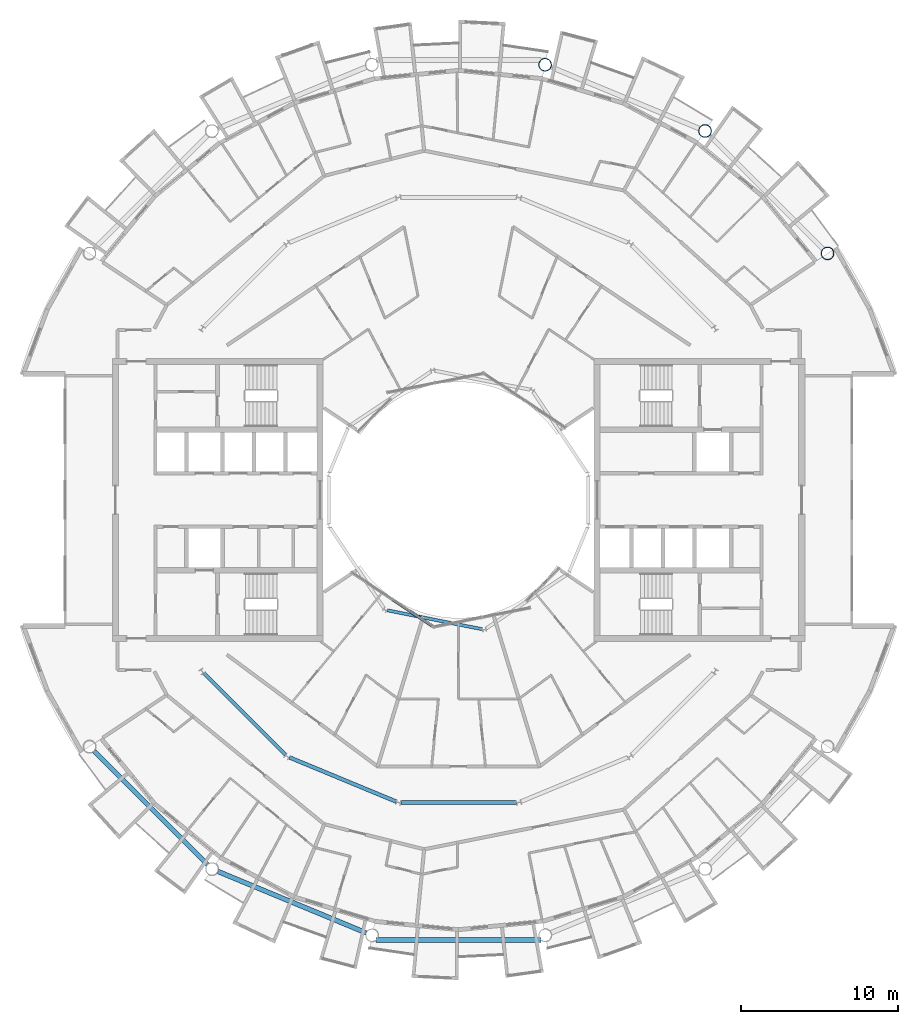
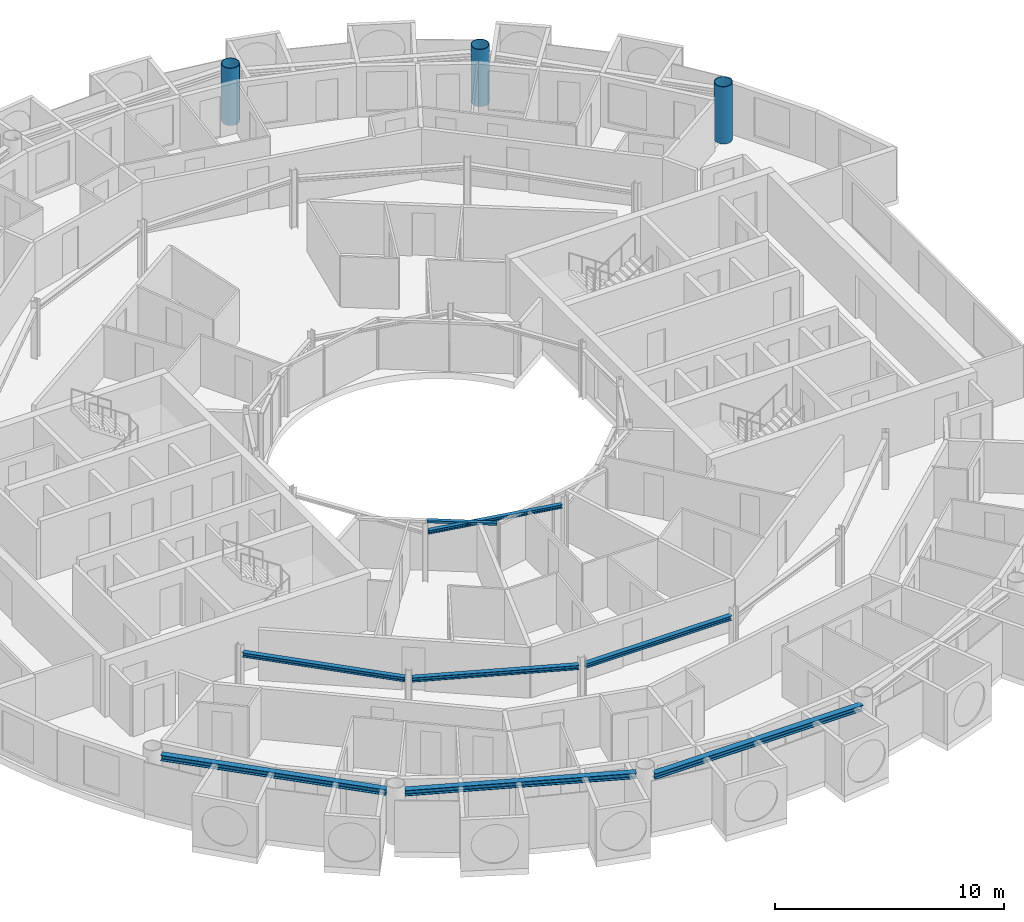
# One storey, part 6 of 28: 7 beams, 3 columns, 1 member, 1 element without a shape of its own.
"""IFC4 building model written with IfcOpenShell, lengths in metres."""

import ifcopenshell
import ifcopenshell.guid

model = None  # the IFC model being written
_history = None  # IfcOwnerHistory: only IFC2X3 demands one
_inside = {}  # id of a spatial element -> (the spatial element, [elements in it])
_under = {}  # id of a project, library or spatial element -> (it, [spatial elements below it])
_declared = {}  # id of a project -> (the project, [libraries it declares])
_typed = {}  # id of a type object -> (the type object, [elements of that type])
_made_of = {}  # id of a material, layer set ... -> (it, [elements and type objects made of it])


def new_model(schema):
    """Start an empty IFC model of exactly this schema.

    Asked for "IFC4X3", IfcOpenShell would pick the latest addendum, in which some entities
    have other attributes; the version numbers below select the first issue.
    IFC2X3 requires an IfcOwnerHistory on every rooted entity: one is made here for all.
    """
    global model, _history
    if schema == "IFC4X3":
        model = ifcopenshell.file(schema_version=(4, 3, 0, 0))
    else:
        model = ifcopenshell.file(schema=schema)
    _inside.clear()
    _under.clear()
    _declared.clear()
    _typed.clear()
    _made_of.clear()
    _history = None
    if model.schema == "IFC2X3":
        org = make("IfcOrganization", Name="unknown")
        user = make(
            "IfcPersonAndOrganization",
            ThePerson=make("IfcPerson", FamilyName="unknown"),
            TheOrganization=org,
        )
        app = make(
            "IfcApplication",
            ApplicationDeveloper=org,
            Version="unknown",
            ApplicationFullName="unknown",
            ApplicationIdentifier="unknown",
        )
        _history = make(
            "IfcOwnerHistory",
            OwningUser=user,
            OwningApplication=app,
            ChangeAction="ADDED",
            CreationDate=0,
        )
    return model


def make(cls, **values):
    """One entity of the class cls with the attributes given. An attribute that is None is left unset."""
    return model.create_entity(
        cls, **{name: value for name, value in values.items() if value is not None}
    )


def rooted(cls, **values):
    """An entity with a GlobalId (a new one), such as an element, a storey or a relation."""
    return make(cls, GlobalId=ifcopenshell.guid.new(), OwnerHistory=_history, **values)


def si_unit(unit_type, name, prefix=None):
    """IfcSIUnit, for example si_unit("LENGTHUNIT", "METRE", prefix="MILLI")."""
    return make("IfcSIUnit", UnitType=unit_type, Prefix=prefix, Name=name)


def assignment(units):
    """IfcUnitAssignment: the units of a project."""
    return None if units is None else make("IfcUnitAssignment", Units=units)


def point(xyz):
    """IfcCartesianPoint."""
    return None if xyz is None else make("IfcCartesianPoint", Coordinates=xyz)


def direction(xyz):
    """IfcDirection."""
    return None if xyz is None else make("IfcDirection", DirectionRatios=xyz)


def frame(location, z_axis=None, x_axis=None):
    """IfcAxis2Placement3D, a coordinate frame: its origin and axes. An axis left out is left unset."""
    return make(
        "IfcAxis2Placement3D",
        Location=point(location),
        Axis=direction(z_axis),
        RefDirection=direction(x_axis),
    )


def frame_2d(location, x_axis=None):
    """IfcAxis2Placement2D, a coordinate frame in the plane: its origin and x axis."""
    return make(
        "IfcAxis2Placement2D", Location=point(location), RefDirection=direction(x_axis)
    )


def origin():
    """The frame at (0, 0, 0) with its axes left unset."""
    return frame((0.0, 0.0, 0.0))


def origin_2d():
    """The frame at (0, 0) in the plane with its x axis left unset."""
    return frame_2d((0.0, 0.0))


def place(relative_to, where):
    """IfcLocalPlacement: puts the frame where relative to a parent placement (None: the world)."""
    return make(
        "IfcLocalPlacement", PlacementRelTo=relative_to, RelativePlacement=where
    )


def context(
    kind, dimensions, precision=None, world=None, true_north=None, identifier=None
):
    """IfcGeometricRepresentationContext, for example the 3D "Model" context."""
    return make(
        "IfcGeometricRepresentationContext",
        ContextIdentifier=identifier,
        ContextType=kind,
        CoordinateSpaceDimension=dimensions,
        Precision=precision,
        WorldCoordinateSystem=world,
        TrueNorth=true_north,
    )


def subcontext(parent, identifier, kind, view, scale=None):
    """IfcGeometricRepresentationSubContext, for example "Body" below "Model"."""
    return make(
        "IfcGeometricRepresentationSubContext",
        ContextIdentifier=identifier,
        ContextType=kind,
        ParentContext=parent,
        TargetScale=scale,
        TargetView=view,
    )


def project(units=None, contexts=None):
    """IfcProject with its units and contexts."""
    return rooted(
        "IfcProject",
        Name="project",
        RepresentationContexts=contexts,
        UnitsInContext=assignment(units),
    )


def spatial(cls, under=None, at=None, **own):
    """A site, building, storey or space (cls), placed at a placement, below another one or the project."""
    s = rooted(cls, ObjectPlacement=at, **own)
    if under is not None:
        _under.setdefault(under.id(), (under, []))[1].append(s)
    return s


def profile(cls, at=None, kind="AREA", **sizes):
    """A parametric profile (cls). Its sizes go by their IFC names, for example OverallWidth=200.0."""
    return make(cls, ProfileType=kind, Position=at, **sizes)


def rectangle(**sizes):
    """IfcRectangleProfileDef."""
    return profile("IfcRectangleProfileDef", **sizes)


def hollow_circle(**sizes):
    """IfcCircleHollowProfileDef."""
    return profile("IfcCircleHollowProfileDef", **sizes)


def i_section(**sizes):
    """IfcIShapeProfileDef."""
    return profile("IfcIShapeProfileDef", **sizes)


def extrude(swept, where, along, depth):
    """IfcExtrudedAreaSolid: the profile swept, set in the frame where, extruded along a direction by depth."""
    return make(
        "IfcExtrudedAreaSolid",
        SweptArea=swept,
        Position=where,
        ExtrudedDirection=direction(along),
        Depth=depth,
    )


def shape(context_of_items, identifier, shape_type, items):
    """IfcShapeRepresentation: the items that make up one representation, for example the "Body"."""
    return make(
        "IfcShapeRepresentation",
        ContextOfItems=context_of_items,
        RepresentationIdentifier=identifier,
        RepresentationType=shape_type,
        Items=items,
    )


def material(Name=None, Category=None):
    """IfcMaterial."""
    return make("IfcMaterial", Name=Name, Category=Category)


def layer(
    of_material, thickness, ventilated=None, Name=None, Category=None, Priority=None
):
    """IfcMaterialLayer: one layer of a wall or slab, of a material (None: an air gap)."""
    return make(
        "IfcMaterialLayer",
        Material=of_material,
        LayerThickness=thickness,
        IsVentilated=ventilated,
        Name=Name,
        Category=Category,
        Priority=Priority,
    )


def layer_set(layers, Name=None):
    """IfcMaterialLayerSet."""
    return make("IfcMaterialLayerSet", MaterialLayers=layers, LayerSetName=Name)


def material_profile(
    of_material, cross_section, Name=None, Category=None, Priority=None
):
    """IfcMaterialProfile: a cross section and its material."""
    return make(
        "IfcMaterialProfile",
        Name=Name,
        Material=of_material,
        Profile=cross_section,
        Priority=Priority,
        Category=Category,
    )


def profile_set(profiles, Name=None, composite=None):
    """IfcMaterialProfileSet."""
    return make(
        "IfcMaterialProfileSet",
        Name=Name,
        MaterialProfiles=profiles,
        CompositeProfile=composite,
    )


def made_of(thing, what):
    """Note that an element or type object is made of a material, layer set ...; save() writes the relation."""
    if what is not None:
        _made_of.setdefault(what.id(), (what, []))[1].append(thing)
    return thing


def type_object(cls, material=None, **own):
    """A type object (cls), such as IfcWallType, which elements share."""
    return made_of(rooted(cls, **own), material)


def element(
    cls,
    number,
    at=None,
    inside=None,
    cuts=None,
    type_object=None,
    material=None,
    context=None,
    identifier="Body",
    shape_type=None,
    held_by="IfcProductDefinitionShape",
    body=None,
    shapes=None,
    **own,
):
    """One element of the class cls, such as IfcWall. Its Tag is "e" and its number.

    at: its placement. inside: the storey or other place that contains it. cuts: it is an
    opening in that element (IfcRelVoidsElement). A single representation is given by context,
    identifier, shape_type and body (its items); several are given by shapes. held_by: the class
    of the entity that holds the representations. save() writes the other relations.
    """
    e = rooted(cls, Tag="e%d" % number, ObjectPlacement=at, **own)
    if body is not None:
        shapes = [shape(context, identifier, shape_type, body)]
    if shapes is not None:
        e.Representation = make(held_by, Representations=shapes)
    if inside is not None:
        _inside.setdefault(inside.id(), (inside, []))[1].append(e)
    if cuts is not None:
        rooted(
            "IfcRelVoidsElement", RelatingBuildingElement=cuts, RelatedOpeningElement=e
        )
    if type_object is not None:
        _typed.setdefault(type_object.id(), (type_object, []))[1].append(e)
    return made_of(e, material)


def aggregate(whole, parts):
    """IfcRelAggregates: a whole, such as a stair, and the parts it consists of."""
    return rooted("IfcRelAggregates", RelatingObject=whole, RelatedObjects=parts)


def save(model, path):
    """Write the relations noted so far, then the file.

    IfcRelAggregates (storeys below a building ...), IfcRelContainedInSpatialStructure (elements
    in a storey), IfcRelDefinesByType, IfcRelAssociatesMaterial and IfcRelDeclares: one each for
    every whole, place, type object, material and project.
    """
    for whole, parts in _under.values():
        aggregate(whole, parts)
    for where, things in _inside.values():
        rooted(
            "IfcRelContainedInSpatialStructure",
            RelatedElements=things,
            RelatingStructure=where,
        )
    for kind, things in _typed.values():
        rooted("IfcRelDefinesByType", RelatedObjects=things, RelatingType=kind)
    for what, things in _made_of.values():
        rooted("IfcRelAssociatesMaterial", RelatedObjects=things, RelatingMaterial=what)
    for by, libraries in _declared.values():
        rooted("IfcRelDeclares", RelatingContext=by, RelatedDefinitions=libraries)
    model.write(path)


model = new_model("IFC4")

# Units and contexts
model_context = context("Model", 3, precision=1e-05, world=origin(), true_north=direction((0.0, 1.0)))
body_context = subcontext(model_context, "Body", "Model", "MODEL_VIEW")
ifc_project = project(units=[si_unit("LENGTHUNIT", "METRE"), si_unit("AREAUNIT", "SQUARE_METRE"), si_unit("VOLUMEUNIT", "CUBIC_METRE"), si_unit("PLANEANGLEUNIT", "RADIAN"), si_unit("MASSUNIT", "GRAM", prefix="KILO")], contexts=[model_context])

# Site, building, storey
site_placement = place(None, origin())
site = spatial("IfcSite", under=ifc_project, at=site_placement, CompositionType="ELEMENT")
building_placement = place(site_placement, origin())
building = spatial("IfcBuilding", under=site, at=building_placement, Name="Maasbend Ring Residences", CompositionType="ELEMENT")
storey_placement = place(building_placement, frame((0.0, 0.0, 227.949951171875)))
storey = spatial("IfcBuildingStorey", under=building, at=storey_placement, Name="L65", CompositionType="ELEMENT", Elevation=227.949951171875)

# Columns
ifc_material_1 = material(Name="Composite concrete-filled steel tube S460NH / C80/95", Category="concrete")
ifc_material_profile_1 = material_profile(ifc_material_1, hollow_circle(Radius=0.406494140625, WallThickness=0.030029296875, at=origin_2d()), Name="Composite tube column CHS 813x30")
ifc_profile_set_1 = profile_set([ifc_material_profile_1], Name="Composite concrete-filled steel tube S460NH / C80/95")
column_type = type_object("IfcColumnType", Name="Composite tube column CHS 813x30", PredefinedType="COLUMN", material=ifc_profile_set_1)
for number, where, z_axis, x_axis, name in (
    (1, (23.447509765625, 15.6669921875, 0.0), (0.0, 0.0, 1.0), (1.0, 0.0, 0.0), "Outer column R2"),
    (2, (15.6669921875, 23.447509765625, 0.0), (0.0, 0.0, 1.0), (1.0, 0.0, 0.0), "Outer column R3"),
    (3, (5.50146484375, 27.658203125, 0.0), (0.0, 0.0, 1.0), (1.0, 0.0, 0.0), "Outer column R4"),
):
    element("IfcColumn", number, at=place(storey_placement, frame(where, z_axis=z_axis, x_axis=x_axis)), inside=storey, type_object=column_type, Name=name, PredefinedType="COLUMN", context=body_context, shape_type="SweptSolid", body=[
        extrude(hollow_circle(Radius=0.406494140625, WallThickness=0.030029296875, at=origin_2d()), origin(), (0.0, 0.0, 1.0), 3.050048828125),
    ])

# Curtain wall, member
ifc_material_2 = material(Name="Aluminium and clear glass", Category="aluminium")
ifc_layer = layer(ifc_material_2, 0.179931640625)
ifc_layer_set = layer_set([ifc_layer], Name="CW-W")
curtain_wall_type = type_object("IfcCurtainWallType", Name="CW-W", PredefinedType="NOTDEFINED", material=ifc_layer_set)
curtain_wall_placement = place(storey_placement, origin())
curtain_wall = element("IfcCurtainWall", 4, at=curtain_wall_placement, inside=storey, type_object=curtain_wall_type, Name="Well curtain wall S1", PredefinedType="NOTDEFINED")
ifc_material_3 = material(Name="Aluminium 6063-T6", Category="aluminium")
ifc_material_profile_2 = material_profile(ifc_material_3, rectangle(XDim=0.179931640625, YDim=0.1201171875, at=origin_2d()), Name="AL 180x120")
ifc_profile_set_2 = profile_set([ifc_material_profile_2], Name="Aluminium 6063-T6")
member_type = type_object("IfcMemberType", Name="CWT-W", PredefinedType="USERDEFINED", material=ifc_profile_set_2)
member_placement = place(storey_placement, frame((-4.19189453125, -6.32763671875, 2.64013671875), z_axis=(0.831496422459, -0.555530106689, 0.0), x_axis=(0.555530106689, 0.831496422459, 0.0)))
member = element("IfcMember", 5, at=member_placement, type_object=member_type, Name="Transom well face", ObjectType="TRANSOM", PredefinedType="USERDEFINED", context=body_context, shape_type="SweptSolid", body=[
    extrude(rectangle(XDim=0.179931640625, YDim=0.1201171875, at=origin_2d()), origin(), (0.0, 0.0, 1.0), 3.053955078125),
])
aggregate(curtain_wall, [member])

# Beams
ifc_material_4 = material(Name="Steel S355J2", Category="steel")
ifc_material_profile_3 = material_profile(ifc_material_4, i_section(OverallWidth=0.239990234375, OverallDepth=0.22998046875, WebThickness=0.007568359375, FlangeThickness=0.011962890625, FilletRadius=0.02099609375, at=origin_2d()), Name="HEA 240")
ifc_profile_set_3 = profile_set([ifc_material_profile_3], Name="Steel S355J2")
beam_type_1 = type_object("IfcBeamType", Name="Corridor ring beam HEA 240", PredefinedType="BEAM", material=ifc_profile_set_3)
beam_1_placement = place(storey_placement, frame((-16.188720703125, -10.997314453125, 2.5849609375), z_axis=(0.707106781187, -0.707106781187, 0.0), x_axis=(0.707106781187, 0.707106781187, 0.0)))
element("IfcBeam", 6, at=beam_1_placement, inside=storey, type_object=beam_type_1, Name="Corridor ring beam", PredefinedType="BEAM", context=body_context, shape_type="SweptSolid", body=[
    extrude(i_section(OverallWidth=0.239990234375, OverallDepth=0.22998046875, WebThickness=0.007568359375, FlangeThickness=0.011962890625, FilletRadius=0.02099609375, at=origin_2d()), origin(), (0.0, 0.0, 1.0), 7.341796875),
])
beam_2_placement = place(storey_placement, frame((-10.747802734375, -16.355224609375, 2.5849609375), z_axis=(0.923875784142, -0.382692481603, 0.0), x_axis=(0.382692481603, 0.923875784142, 0.0)))
element("IfcBeam", 7, at=beam_2_placement, inside=storey, type_object=beam_type_1, Name="Corridor ring beam", PredefinedType="BEAM", context=body_context, shape_type="SweptSolid", body=[
    extrude(i_section(OverallWidth=0.239990234375, OverallDepth=0.22998046875, WebThickness=0.007568359375, FlangeThickness=0.011962890625, FilletRadius=0.02099609375, at=origin_2d()), origin(), (0.0, 0.0, 1.0), 7.341552734375),
])
beam_3_placement = place(storey_placement, frame((-3.6708984375, -19.223388671875, 2.5849609375), z_axis=(1.0, 0.0, 0.0), x_axis=(0.0, 1.0, 0.0)))
element("IfcBeam", 8, at=beam_3_placement, inside=storey, type_object=beam_type_1, Name="Corridor ring beam", PredefinedType="BEAM", context=body_context, shape_type="SweptSolid", body=[
    extrude(i_section(OverallWidth=0.239990234375, OverallDepth=0.22998046875, WebThickness=0.007568359375, FlangeThickness=0.011962890625, FilletRadius=0.02099609375, at=origin_2d()), origin(), (0.0, 0.0, 1.0), 7.341796875),
])
ifc_material_5 = material(Name="Steel S355J2", Category="steel")
ifc_material_profile_4 = material_profile(ifc_material_5, i_section(OverallWidth=0.300048828125, OverallDepth=0.300048828125, WebThickness=0.010986328125, FlangeThickness=0.01904296875, FilletRadius=0.027099609375, at=origin_2d()), Name="HEB 300")
ifc_profile_set_4 = profile_set([ifc_material_profile_4], Name="Steel S355J2")
beam_type_2 = type_object("IfcBeamType", Name="Spandrel ring beam HEB 300", PredefinedType="SPANDREL", material=ifc_profile_set_4)
for number, where, z_axis, x_axis, name in (
    (9, (-23.159912109375, -15.95458984375, 2.550048828125), (0.707106781187, -0.707106781187, 0.0), (0.707106781187, 0.707106781187, 0.0), "Spandrel ring beam"),
    (10, (-15.29150390625, -23.60302734375, 2.550048828125), (0.923883676188, -0.382673428492, 0.0), (0.382673428492, 0.923883676188, 0.0), "Spandrel ring beam"),
):
    element("IfcBeam", number, at=place(storey_placement, frame(where, z_axis=z_axis, x_axis=x_axis)), inside=storey, type_object=beam_type_2, Name=name, PredefinedType="SPANDREL", context=body_context, shape_type="SweptSolid", body=[
        extrude(i_section(OverallWidth=0.300048828125, OverallDepth=0.300048828125, WebThickness=0.010986328125, FlangeThickness=0.01904296875, FilletRadius=0.027099609375, at=origin_2d()), origin(), (0.0, 0.0, 1.0), 10.18994140625),
    ])
beam_4_placement = place(storey_placement, frame((-5.2451171875, -27.9580078125, 2.550048828125), z_axis=(1.0, 0.0, 0.0), x_axis=(0.0, 1.0, 0.0)))
element("IfcBeam", 11, at=beam_4_placement, inside=storey, type_object=beam_type_2, Name="Spandrel ring beam", PredefinedType="SPANDREL", context=body_context, shape_type="SweptSolid", body=[
    extrude(i_section(OverallWidth=0.300048828125, OverallDepth=0.300048828125, WebThickness=0.010986328125, FlangeThickness=0.01904296875, FilletRadius=0.027099609375, at=origin_2d()), origin(), (0.0, 0.0, 1.0), 10.490234375),
])
ifc_material_6 = material(Name="Steel S355J2", Category="steel")
ifc_material_profile_5 = material_profile(ifc_material_6, i_section(OverallWidth=0.199951171875, OverallDepth=0.18994140625, WebThickness=0.006591796875, FlangeThickness=0.010009765625, FilletRadius=0.01806640625, at=origin_2d()), Name="HEA 200")
ifc_profile_set_5 = profile_set([ifc_material_profile_5], Name="Steel S355J2")
beam_type_3 = type_object("IfcBeamType", Name="Well edge beam HEA 200", PredefinedType="BEAM", material=ifc_profile_set_5)
beam_5_placement = place(storey_placement, frame((-4.544677734375, -7.008544921875, 2.60498046875), z_axis=(0.98078072474, -0.195113223486, 0.0), x_axis=(0.195113223486, 0.98078072474, 0.0)))
element("IfcBeam", 12, at=beam_5_placement, inside=storey, type_object=beam_type_3, Name="Well edge beam", PredefinedType="BEAM", context=body_context, shape_type="SweptSolid", body=[
    extrude(i_section(OverallWidth=0.199951171875, OverallDepth=0.18994140625, WebThickness=0.006591796875, FlangeThickness=0.010009765625, FilletRadius=0.01806640625, at=origin_2d()), origin(), (0.0, 0.0, 1.0), 6.18017578125),
])

save(model, "model.ifc")
